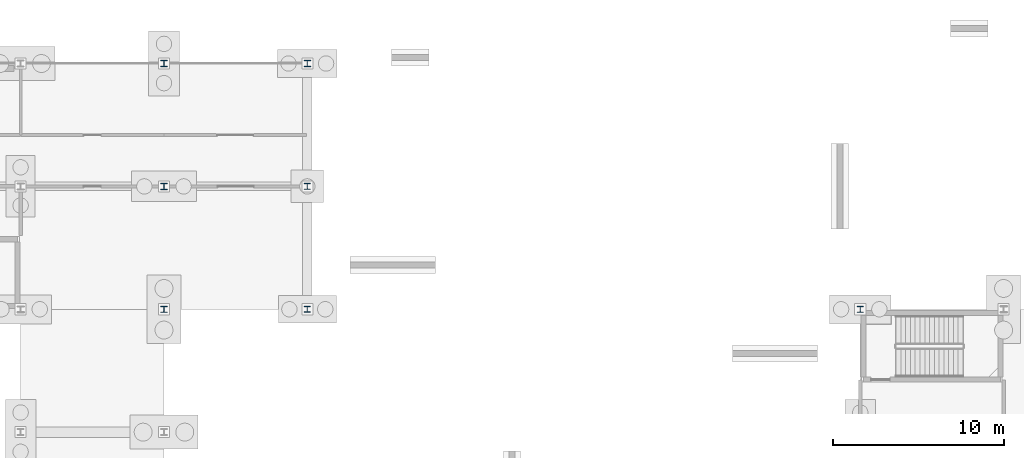
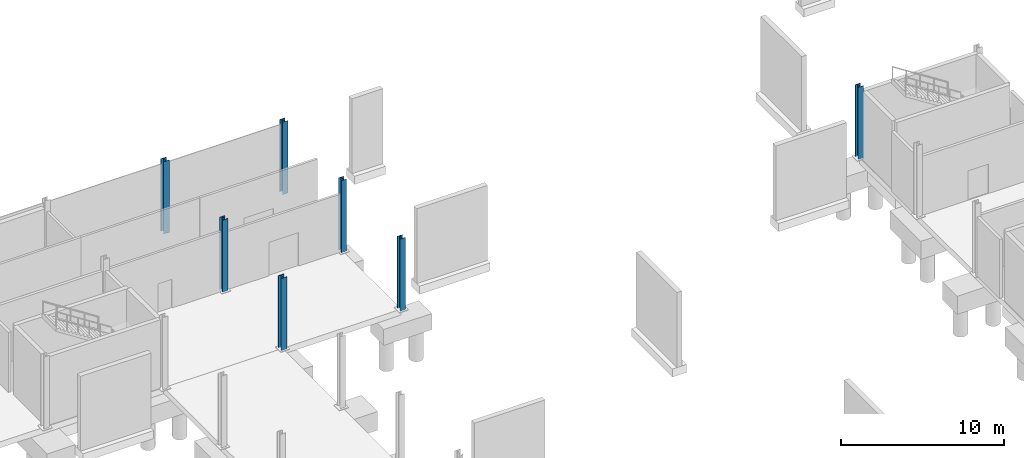
# One storey, part 28 of 61: 7 columns.
"""IFC4 building model written with IfcOpenShell, lengths in metres."""

from ifc_helpers import new_model, si_unit, direction, frame, origin, origin_2d, place, context, subcontext, project, spatial, i_section, extrude, material, material_profile, profile_set, type_object, element, save


model = new_model("IFC4")

# Units and contexts
model_context = context("Model", 3, precision=1e-05, world=origin(), true_north=direction((0.0, 1.0)))
body_context = subcontext(model_context, "Body", "Model", "MODEL_VIEW")
ifc_project = project(units=[si_unit("LENGTHUNIT", "METRE"), si_unit("AREAUNIT", "SQUARE_METRE"), si_unit("VOLUMEUNIT", "CUBIC_METRE"), si_unit("PLANEANGLEUNIT", "RADIAN"), si_unit("MASSUNIT", "GRAM", prefix="KILO")], contexts=[model_context])

# Site, building, storey
site_placement = place(None, origin())
site = spatial("IfcSite", under=ifc_project, at=site_placement, CompositionType="ELEMENT")
building_placement = place(site_placement, origin())
building = spatial("IfcBuilding", under=site, at=building_placement, Name="Calvrana Isthmian Art Gallery", CompositionType="ELEMENT")
storey_placement = place(building_placement, frame((0.0, 0.0, -5.39990234375)))
storey = spatial("IfcBuildingStorey", under=building, at=storey_placement, Name="B1", CompositionType="ELEMENT", Elevation=-5.39990234375)

# Columns
ifc_material = material(Name="Steel ASTM A992 Gr 50", Category="steel")
ifc_material_profile_1 = material_profile(ifc_material, i_section(OverallWidth=0.37109375, OverallDepth=0.363037109375, WebThickness=0.01318359375, FlangeThickness=0.021728515625, FilletRadius=0.02490234375, at=origin_2d()), Name="W14X109")
ifc_profile_set_1 = profile_set([ifc_material_profile_1], Name="Steel ASTM A992 Gr 50")
column_type_1 = type_object("IfcColumnType", Name="COL-STL-W14X109", PredefinedType="COLUMN", material=ifc_profile_set_1)
column_1_placement = place(storey_placement, frame((72.0, 105.60009765625, 0.0), z_axis=(0.0, 0.0, 1.0), x_axis=(1.0, 0.0, 0.0)))
element("IfcColumn", 1, at=column_1_placement, inside=storey, type_object=column_type_1, Name="Column 10/O B1", PredefinedType="COLUMN", context=body_context, shape_type="SweptSolid", body=[
    extrude(i_section(OverallWidth=0.37109375, OverallDepth=0.363037109375, WebThickness=0.01318359375, FlangeThickness=0.021728515625, FilletRadius=0.02490234375, at=origin_2d()), origin(), (0.0, 0.0, 1.0), 5.39990234375),
])
ifc_material_profile_2 = material_profile(ifc_material, i_section(OverallWidth=0.373046875, OverallDepth=0.367919921875, WebThickness=0.014892578125, FlangeThickness=0.02392578125, FilletRadius=0.02490234375, at=origin_2d()), Name="W14X120")
ifc_profile_set_2 = profile_set([ifc_material_profile_2], Name="Steel ASTM A992 Gr 50")
column_type_2 = type_object("IfcColumnType", Name="COL-STL-W14X120", PredefinedType="COLUMN", material=ifc_profile_set_2)
column_2_placement = place(storey_placement, frame((72.0, 112.800048828125, 0.0), z_axis=(0.0, 0.0, 1.0), x_axis=(1.0, 0.0, 0.0)))
element("IfcColumn", 2, at=column_2_placement, inside=storey, type_object=column_type_2, Name="Column 10/P B1", PredefinedType="COLUMN", context=body_context, shape_type="SweptSolid", body=[
    extrude(i_section(OverallWidth=0.373046875, OverallDepth=0.367919921875, WebThickness=0.014892578125, FlangeThickness=0.02392578125, FilletRadius=0.02490234375, at=origin_2d()), origin(), (0.0, 0.0, 1.0), 5.39990234375),
])
ifc_material_profile_3 = material_profile(ifc_material, i_section(OverallWidth=0.373046875, OverallDepth=0.373046875, WebThickness=0.016357421875, FlangeThickness=0.026123046875, FilletRadius=0.02490234375, at=origin_2d()), Name="W14X132")
ifc_profile_set_3 = profile_set([ifc_material_profile_3], Name="Steel ASTM A992 Gr 50")
column_type_3 = type_object("IfcColumnType", Name="COL-STL-W14X132", PredefinedType="COLUMN", material=ifc_profile_set_3)
column_3_placement = place(storey_placement, frame((104.39990234375, 98.39990234375, 0.0), z_axis=(0.0, 0.0, 1.0), x_axis=(1.0, 0.0, 0.0)))
element("IfcColumn", 3, at=column_3_placement, inside=storey, type_object=column_type_3, Name="Column 14/N B1", PredefinedType="COLUMN", context=body_context, shape_type="SweptSolid", body=[
    extrude(i_section(OverallWidth=0.373046875, OverallDepth=0.373046875, WebThickness=0.016357421875, FlangeThickness=0.026123046875, FilletRadius=0.02490234375, at=origin_2d()), origin(), (0.0, 0.0, 1.0), 5.39990234375),
])
ifc_material_profile_4 = material_profile(ifc_material, i_section(OverallWidth=0.39404296875, OverallDepth=0.3759765625, WebThickness=0.017333984375, FlangeThickness=0.027587890625, FilletRadius=0.02490234375, at=origin_2d()), Name="W14X145")
ifc_profile_set_4 = profile_set([ifc_material_profile_4], Name="Steel ASTM A992 Gr 50")
column_type_4 = type_object("IfcColumnType", Name="COL-STL-W14X145", PredefinedType="COLUMN", material=ifc_profile_set_4)
column_4_placement = place(storey_placement, frame((63.60009765625, 98.39990234375, 0.0), z_axis=(0.0, 0.0, 1.0), x_axis=(1.0, 0.0, 0.0)))
element("IfcColumn", 4, at=column_4_placement, inside=storey, type_object=column_type_4, Name="Column 09/N B1", PredefinedType="COLUMN", context=body_context, shape_type="SweptSolid", body=[
    extrude(i_section(OverallWidth=0.39404296875, OverallDepth=0.3759765625, WebThickness=0.017333984375, FlangeThickness=0.027587890625, FilletRadius=0.02490234375, at=origin_2d()), origin(), (0.0, 0.0, 1.0), 5.39990234375),
])
ifc_material_profile_5 = material_profile(ifc_material, i_section(OverallWidth=0.39599609375, OverallDepth=0.381103515625, WebThickness=0.018798828125, FlangeThickness=0.0302734375, FilletRadius=0.02490234375, at=origin_2d()), Name="W14X159")
ifc_profile_set_5 = profile_set([ifc_material_profile_5], Name="Steel ASTM A992 Gr 50")
column_type_5 = type_object("IfcColumnType", Name="COL-STL-W14X159", PredefinedType="COLUMN", material=ifc_profile_set_5)
column_5_placement = place(storey_placement, frame((63.60009765625, 105.60009765625, 0.0), z_axis=(0.0, 0.0, 1.0), x_axis=(1.0, 0.0, 0.0)))
element("IfcColumn", 5, at=column_5_placement, inside=storey, type_object=column_type_5, Name="Column 09/O B1", PredefinedType="COLUMN", context=body_context, shape_type="SweptSolid", body=[
    extrude(i_section(OverallWidth=0.39599609375, OverallDepth=0.381103515625, WebThickness=0.018798828125, FlangeThickness=0.0302734375, FilletRadius=0.02490234375, at=origin_2d()), origin(), (0.0, 0.0, 1.0), 5.39990234375),
])
ifc_material_profile_6 = material_profile(ifc_material, i_section(OverallWidth=0.39892578125, OverallDepth=0.385986328125, WebThickness=0.02099609375, FlangeThickness=0.033203125, FilletRadius=0.02490234375, at=origin_2d()), Name="W14X176")
ifc_profile_set_6 = profile_set([ifc_material_profile_6], Name="Steel ASTM A992 Gr 50")
column_type_6 = type_object("IfcColumnType", Name="COL-STL-W14X176", PredefinedType="COLUMN", material=ifc_profile_set_6)
column_6_placement = place(storey_placement, frame((63.60009765625, 112.800048828125, 0.0), z_axis=(0.0, 0.0, 1.0), x_axis=(1.0, 0.0, 0.0)))
element("IfcColumn", 6, at=column_6_placement, inside=storey, type_object=column_type_6, Name="Column 09/P B1", PredefinedType="COLUMN", context=body_context, shape_type="SweptSolid", body=[
    extrude(i_section(OverallWidth=0.39892578125, OverallDepth=0.385986328125, WebThickness=0.02099609375, FlangeThickness=0.033203125, FilletRadius=0.02490234375, at=origin_2d()), origin(), (0.0, 0.0, 1.0), 5.39990234375),
])
ifc_material_profile_7 = material_profile(ifc_material, i_section(OverallWidth=0.367919921875, OverallDepth=0.35595703125, WebThickness=0.01123046875, FlangeThickness=0.01806640625, FilletRadius=0.02490234375, at=origin_2d()), Name="W14X90")
ifc_profile_set_7 = profile_set([ifc_material_profile_7], Name="Steel ASTM A992 Gr 50")
column_type_7 = type_object("IfcColumnType", Name="COL-STL-W14X90", PredefinedType="COLUMN", material=ifc_profile_set_7)
column_7_placement = place(storey_placement, frame((72.0, 98.39990234375, 0.0), z_axis=(0.0, 0.0, 1.0), x_axis=(1.0, 0.0, 0.0)))
element("IfcColumn", 7, at=column_7_placement, inside=storey, type_object=column_type_7, Name="Column 10/N B1", PredefinedType="COLUMN", context=body_context, shape_type="SweptSolid", body=[
    extrude(i_section(OverallWidth=0.367919921875, OverallDepth=0.35595703125, WebThickness=0.01123046875, FlangeThickness=0.01806640625, FilletRadius=0.02490234375, at=origin_2d()), origin(), (0.0, 0.0, 1.0), 5.39990234375),
])

save(model, "model.ifc")
